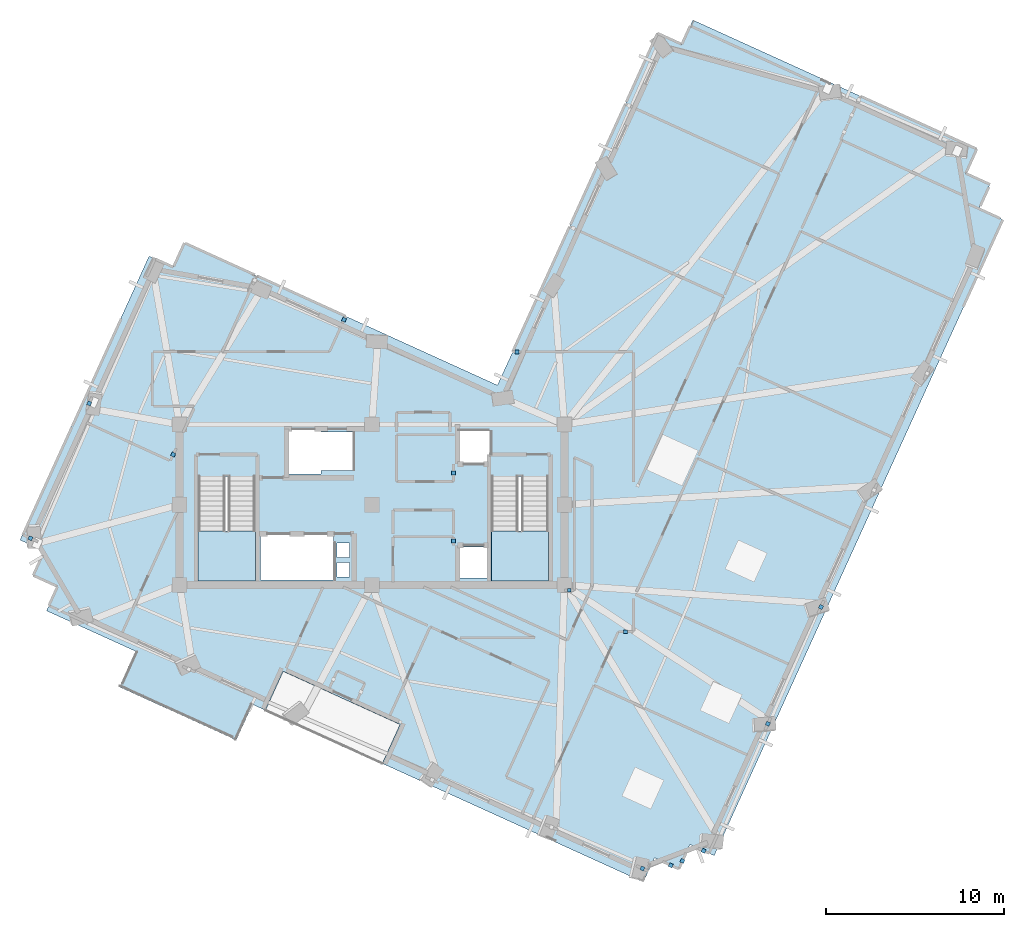
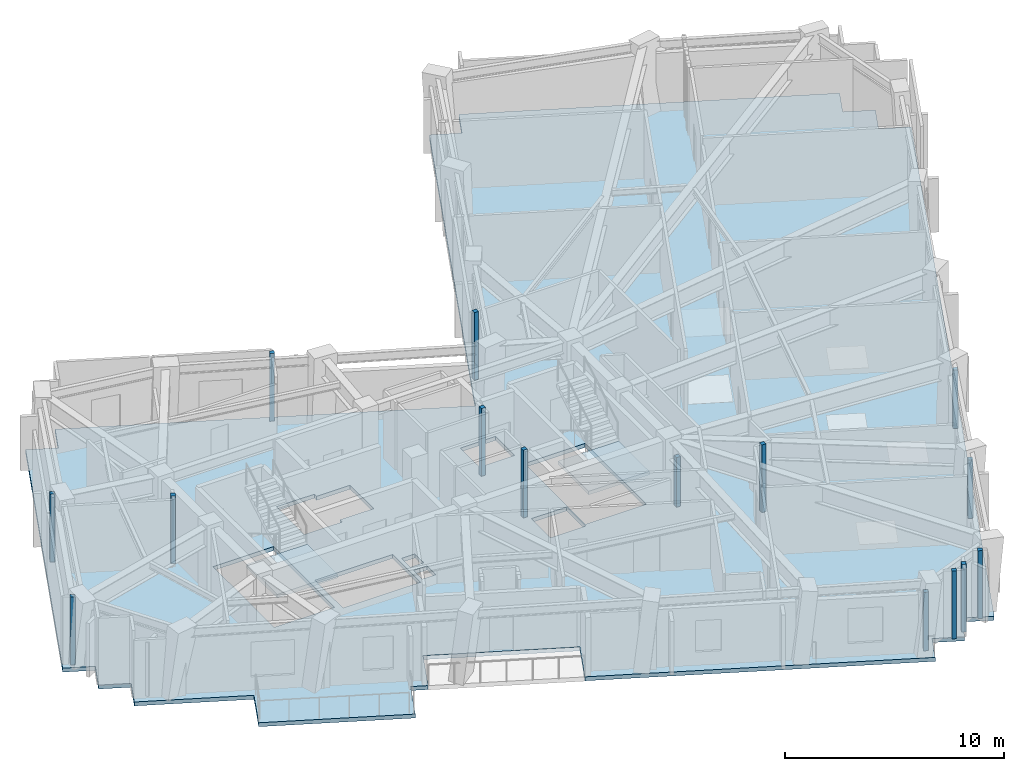
# One storey, part 3 of 13: 15 plates, 3 slabs, 2 elements without a shape of their own.
"""IFC4 building model written with IfcOpenShell, lengths in metres."""

import ifcopenshell
import ifcopenshell.guid

model = None  # the IFC model being written
_history = None  # IfcOwnerHistory: only IFC2X3 demands one
_inside = {}  # id of a spatial element -> (the spatial element, [elements in it])
_under = {}  # id of a project, library or spatial element -> (it, [spatial elements below it])
_declared = {}  # id of a project -> (the project, [libraries it declares])
_typed = {}  # id of a type object -> (the type object, [elements of that type])
_made_of = {}  # id of a material, layer set ... -> (it, [elements and type objects made of it])


def new_model(schema):
    """Start an empty IFC model of exactly this schema.

    Asked for "IFC4X3", IfcOpenShell would pick the latest addendum, in which some entities
    have other attributes; the version numbers below select the first issue.
    IFC2X3 requires an IfcOwnerHistory on every rooted entity: one is made here for all.
    """
    global model, _history
    if schema == "IFC4X3":
        model = ifcopenshell.file(schema_version=(4, 3, 0, 0))
    else:
        model = ifcopenshell.file(schema=schema)
    _inside.clear()
    _under.clear()
    _declared.clear()
    _typed.clear()
    _made_of.clear()
    _history = None
    if model.schema == "IFC2X3":
        org = make("IfcOrganization", Name="unknown")
        user = make(
            "IfcPersonAndOrganization",
            ThePerson=make("IfcPerson", FamilyName="unknown"),
            TheOrganization=org,
        )
        app = make(
            "IfcApplication",
            ApplicationDeveloper=org,
            Version="unknown",
            ApplicationFullName="unknown",
            ApplicationIdentifier="unknown",
        )
        _history = make(
            "IfcOwnerHistory",
            OwningUser=user,
            OwningApplication=app,
            ChangeAction="ADDED",
            CreationDate=0,
        )
    return model


def make(cls, **values):
    """One entity of the class cls with the attributes given. An attribute that is None is left unset."""
    return model.create_entity(
        cls, **{name: value for name, value in values.items() if value is not None}
    )


def rooted(cls, **values):
    """An entity with a GlobalId (a new one), such as an element, a storey or a relation."""
    return make(cls, GlobalId=ifcopenshell.guid.new(), OwnerHistory=_history, **values)


def si_unit(unit_type, name, prefix=None):
    """IfcSIUnit, for example si_unit("LENGTHUNIT", "METRE", prefix="MILLI")."""
    return make("IfcSIUnit", UnitType=unit_type, Prefix=prefix, Name=name)


def assignment(units):
    """IfcUnitAssignment: the units of a project."""
    return None if units is None else make("IfcUnitAssignment", Units=units)


def point(xyz):
    """IfcCartesianPoint."""
    return None if xyz is None else make("IfcCartesianPoint", Coordinates=xyz)


def direction(xyz):
    """IfcDirection."""
    return None if xyz is None else make("IfcDirection", DirectionRatios=xyz)


def frame(location, z_axis=None, x_axis=None):
    """IfcAxis2Placement3D, a coordinate frame: its origin and axes. An axis left out is left unset."""
    return make(
        "IfcAxis2Placement3D",
        Location=point(location),
        Axis=direction(z_axis),
        RefDirection=direction(x_axis),
    )


def frame_2d(location, x_axis=None):
    """IfcAxis2Placement2D, a coordinate frame in the plane: its origin and x axis."""
    return make(
        "IfcAxis2Placement2D", Location=point(location), RefDirection=direction(x_axis)
    )


def origin():
    """The frame at (0, 0, 0) with its axes left unset."""
    return frame((0.0, 0.0, 0.0))


def origin_2d():
    """The frame at (0, 0) in the plane with its x axis left unset."""
    return frame_2d((0.0, 0.0))


def place(relative_to, where):
    """IfcLocalPlacement: puts the frame where relative to a parent placement (None: the world)."""
    return make(
        "IfcLocalPlacement", PlacementRelTo=relative_to, RelativePlacement=where
    )


def context(
    kind, dimensions, precision=None, world=None, true_north=None, identifier=None
):
    """IfcGeometricRepresentationContext, for example the 3D "Model" context."""
    return make(
        "IfcGeometricRepresentationContext",
        ContextIdentifier=identifier,
        ContextType=kind,
        CoordinateSpaceDimension=dimensions,
        Precision=precision,
        WorldCoordinateSystem=world,
        TrueNorth=true_north,
    )


def subcontext(parent, identifier, kind, view, scale=None):
    """IfcGeometricRepresentationSubContext, for example "Body" below "Model"."""
    return make(
        "IfcGeometricRepresentationSubContext",
        ContextIdentifier=identifier,
        ContextType=kind,
        ParentContext=parent,
        TargetScale=scale,
        TargetView=view,
    )


def project(units=None, contexts=None):
    """IfcProject with its units and contexts."""
    return rooted(
        "IfcProject",
        Name="project",
        RepresentationContexts=contexts,
        UnitsInContext=assignment(units),
    )


def spatial(cls, under=None, at=None, **own):
    """A site, building, storey or space (cls), placed at a placement, below another one or the project."""
    s = rooted(cls, ObjectPlacement=at, **own)
    if under is not None:
        _under.setdefault(under.id(), (under, []))[1].append(s)
    return s


def polyline(points):
    """IfcPolyline through the points."""
    return make("IfcPolyline", Points=[point(p) for p in points])


def profile(cls, at=None, kind="AREA", **sizes):
    """A parametric profile (cls). Its sizes go by their IFC names, for example OverallWidth=200.0."""
    return make(cls, ProfileType=kind, Position=at, **sizes)


def rectangle(**sizes):
    """IfcRectangleProfileDef."""
    return profile("IfcRectangleProfileDef", **sizes)


def outline(outer, holes=None, kind="AREA"):
    """IfcArbitraryClosedProfileDef: a profile drawn as a closed curve; with holes, ...WithVoids."""
    if holes is None:
        return make("IfcArbitraryClosedProfileDef", ProfileType=kind, OuterCurve=outer)
    return make(
        "IfcArbitraryProfileDefWithVoids",
        ProfileType=kind,
        OuterCurve=outer,
        InnerCurves=holes,
    )


def extrude(swept, where, along, depth):
    """IfcExtrudedAreaSolid: the profile swept, set in the frame where, extruded along a direction by depth."""
    return make(
        "IfcExtrudedAreaSolid",
        SweptArea=swept,
        Position=where,
        ExtrudedDirection=direction(along),
        Depth=depth,
    )


def shape(context_of_items, identifier, shape_type, items):
    """IfcShapeRepresentation: the items that make up one representation, for example the "Body"."""
    return make(
        "IfcShapeRepresentation",
        ContextOfItems=context_of_items,
        RepresentationIdentifier=identifier,
        RepresentationType=shape_type,
        Items=items,
    )


def material(Name=None, Category=None):
    """IfcMaterial."""
    return make("IfcMaterial", Name=Name, Category=Category)


def layer(
    of_material, thickness, ventilated=None, Name=None, Category=None, Priority=None
):
    """IfcMaterialLayer: one layer of a wall or slab, of a material (None: an air gap)."""
    return make(
        "IfcMaterialLayer",
        Material=of_material,
        LayerThickness=thickness,
        IsVentilated=ventilated,
        Name=Name,
        Category=Category,
        Priority=Priority,
    )


def layer_set(layers, Name=None):
    """IfcMaterialLayerSet."""
    return make("IfcMaterialLayerSet", MaterialLayers=layers, LayerSetName=Name)


def made_of(thing, what):
    """Note that an element or type object is made of a material, layer set ...; save() writes the relation."""
    if what is not None:
        _made_of.setdefault(what.id(), (what, []))[1].append(thing)
    return thing


def type_object(cls, material=None, **own):
    """A type object (cls), such as IfcWallType, which elements share."""
    return made_of(rooted(cls, **own), material)


def element(
    cls,
    number,
    at=None,
    inside=None,
    cuts=None,
    type_object=None,
    material=None,
    context=None,
    identifier="Body",
    shape_type=None,
    held_by="IfcProductDefinitionShape",
    body=None,
    shapes=None,
    **own,
):
    """One element of the class cls, such as IfcWall. Its Tag is "e" and its number.

    at: its placement. inside: the storey or other place that contains it. cuts: it is an
    opening in that element (IfcRelVoidsElement). A single representation is given by context,
    identifier, shape_type and body (its items); several are given by shapes. held_by: the class
    of the entity that holds the representations. save() writes the other relations.
    """
    e = rooted(cls, Tag="e%d" % number, ObjectPlacement=at, **own)
    if body is not None:
        shapes = [shape(context, identifier, shape_type, body)]
    if shapes is not None:
        e.Representation = make(held_by, Representations=shapes)
    if inside is not None:
        _inside.setdefault(inside.id(), (inside, []))[1].append(e)
    if cuts is not None:
        rooted(
            "IfcRelVoidsElement", RelatingBuildingElement=cuts, RelatedOpeningElement=e
        )
    if type_object is not None:
        _typed.setdefault(type_object.id(), (type_object, []))[1].append(e)
    return made_of(e, material)


def aggregate(whole, parts):
    """IfcRelAggregates: a whole, such as a stair, and the parts it consists of."""
    return rooted("IfcRelAggregates", RelatingObject=whole, RelatedObjects=parts)


def save(model, path):
    """Write the relations noted so far, then the file.

    IfcRelAggregates (storeys below a building ...), IfcRelContainedInSpatialStructure (elements
    in a storey), IfcRelDefinesByType, IfcRelAssociatesMaterial and IfcRelDeclares: one each for
    every whole, place, type object, material and project.
    """
    for whole, parts in _under.values():
        aggregate(whole, parts)
    for where, things in _inside.values():
        rooted(
            "IfcRelContainedInSpatialStructure",
            RelatedElements=things,
            RelatingStructure=where,
        )
    for kind, things in _typed.values():
        rooted("IfcRelDefinesByType", RelatedObjects=things, RelatingType=kind)
    for what, things in _made_of.values():
        rooted("IfcRelAssociatesMaterial", RelatedObjects=things, RelatingMaterial=what)
    for by, libraries in _declared.values():
        rooted("IfcRelDeclares", RelatingContext=by, RelatedDefinitions=libraries)
    model.write(path)


model = new_model("IFC4")

# Units and contexts
model_context = context("Model", 3, precision=1e-05, world=origin(), true_north=direction((0.0, 1.0)))
body_context = subcontext(model_context, "Body", "Model", "MODEL_VIEW")
ifc_project = project(units=[si_unit("LENGTHUNIT", "METRE"), si_unit("AREAUNIT", "SQUARE_METRE"), si_unit("VOLUMEUNIT", "CUBIC_METRE"), si_unit("PLANEANGLEUNIT", "RADIAN"), si_unit("MASSUNIT", "GRAM", prefix="KILO")], contexts=[model_context])

# Site, building, storey
site_placement = place(None, origin())
site = spatial("IfcSite", under=ifc_project, at=site_placement, CompositionType="ELEMENT")
building_placement = place(site_placement, origin())
building = spatial("IfcBuilding", under=site, at=building_placement, Name="Gaonmaruhae Medical Tower", CompositionType="ELEMENT")
storey_placement = place(building_placement, frame((0.0, 0.0, 304.60009765625)))
storey = spatial("IfcBuildingStorey", under=building, at=storey_placement, Name="L73", CompositionType="ELEMENT", Elevation=304.60009765625)

# Slab
ifc_material_1 = material(Name="Concrete C40/50", Category="concrete")
ifc_layer_1 = layer(ifc_material_1, 0.219970703125)
ifc_layer_set_1 = layer_set([ifc_layer_1], Name="Concrete C40/50")
slab_type_1 = type_object("IfcSlabType", Name="FS-220 Clinical Ward Composite Floor Slab", PredefinedType="FLOOR", material=ifc_layer_set_1)
slab_1_placement = place(storey_placement, frame((0.0, 0.0, -0.22021484375)))
element("IfcSlab", 1, at=slab_1_placement, inside=storey, type_object=slab_type_1, Name="L73 Structural Slab 1", PredefinedType="FLOOR", context=body_context, shape_type="SweptSolid", body=[
    extrude(outline(polyline([(7.15625, 7.712646484375), (5.790771484375, 8.33349609375), (6.41162109375, 9.69921875), (5.046142578125, 10.31982421875), (12.289306640625, 26.25048828125), (13.65478515625, 25.629638671875), (14.275634765625, 26.9951171875), (31.844970703125, 19.0068359375), (40.826416015625, 38.760986328125), (42.19189453125, 38.14013671875), (42.812744140625, 39.505615234375), (58.743408203125, 32.262451171875), (58.12255859375, 30.89697265625), (59.488037109375, 30.27587890625), (58.8671875, 28.910400390625), (60.232666015625, 28.289794921875), (44.0078125, -7.39501953125), (42.642333984375, -6.774169921875), (42.021484375, -8.1396484375), (40.656005859375, -7.518798828125), (40.03515625, -8.88427734375), (25.37890625, -2.220458984375), (26.372314453125, -0.03564453125), (19.818115234375, 2.9443359375), (18.82470703125, 0.759521484375), (18.096435546875, 1.0908203125), (17.185791015625, -0.912109375), (10.631591796875, 2.068115234375), (11.5419921875, 4.07080078125), (6.535400390625, 6.34716796875), (7.15625, 7.712646484375)]), holes=[polyline([(23.550048828125, 8.25), (22.85009765625, 8.25), (22.85009765625, 9.050048828125), (23.550048828125, 9.050048828125), (23.550048828125, 8.25)]), polyline([(29.574951171875, 9.925048828125), (31.425048828125, 9.925048828125), (31.425048828125, 8.175048828125), (29.574951171875, 8.175048828125), (29.574951171875, 9.925048828125)]), polyline([(18.550048828125, 10.625), (22.64990234375, 10.625), (22.64990234375, 8.074951171875), (18.550048828125, 8.074951171875), (18.550048828125, 10.625)]), polyline([(23.550048828125, 9.35009765625), (22.85009765625, 9.35009765625), (22.85009765625, 10.14990234375), (23.550048828125, 10.14990234375), (23.550048828125, 9.35009765625)]), polyline([(15.050048828125, 13.889892578125), (18.25, 13.889892578125), (18.25, 8.300048828125), (15.050048828125, 8.300048828125), (15.050048828125, 13.889892578125)]), polyline([(31.5, 13.889892578125), (34.699951171875, 13.889892578125), (34.699951171875, 8.300048828125), (31.5, 8.300048828125), (31.5, 13.889892578125)]), polyline([(23.72509765625, 14.22509765625), (21.949951171875, 14.22509765625), (21.949951171875, 14.02490234375), (19.949951171875, 14.02490234375), (19.949951171875, 16.574951171875), (21.949951171875, 16.574951171875), (21.949951171875, 16.375), (23.72509765625, 16.375), (23.72509765625, 14.22509765625)]), polyline([(31.425048828125, 16.425048828125), (31.425048828125, 14.675048828125), (29.574951171875, 14.675048828125), (29.574951171875, 16.425048828125), (31.425048828125, 16.425048828125)])]), origin(), (0.0, 0.0, 1.0), 0.22021484375),
])

# Plates
ifc_material_2 = material(Name="Anodised aluminium 6063-T6", Category="aluminium")
ifc_layer_2 = layer(ifc_material_2, 0.011962890625)
ifc_layer_set_2 = layer_set([ifc_layer_2], Name="Anodised aluminium 6063-T6")
plate_type = type_object("IfcPlateType", Name="PP-01 Interior Partition Corner Stiffener Plate", PredefinedType="SHEET", material=ifc_layer_set_2)
for number, where, z_axis, x_axis, name in (
    (2, (29.3798828125, 10.260009765625, 0.0), (0.0, 0.0, 1.0), (0.0, -1.0, 0.0), "L73 Partition Corner Stiffener Plate PLT-L73-JGP-PW003"),
    (3, (29.3798828125, 14.090087890625, 0.0), (0.0, 0.0, 1.0), (0.0, -1.0, 0.0), "L73 Partition Corner Stiffener Plate PLT-L73-JGP-PW009"),
    (4, (41.572021484375, -7.935546875, 0.0), (0.0, 0.0, 1.0), (-0.910402258592, 0.413724216781, 0.0), "L73 Partition Corner Stiffener Plate PLT-L73-JGP-PW014"),
):
    element("IfcPlate", number, at=place(storey_placement, frame(where, z_axis=z_axis, x_axis=x_axis)), inside=storey, type_object=plate_type, Name=name, PredefinedType="SHEET", context=body_context, shape_type="SweptSolid", body=[
        extrude(rectangle(XDim=0.219970703125, YDim=0.219970703125, at=origin_2d()), origin(), (0.0, 0.0, 1.0), 3.780029296875),
    ])
plate_1_placement = place(storey_placement, frame((39.9794921875, -8.117431640625, 0.0), z_axis=(0.0, 0.0, 1.0), x_axis=(-0.910366150876, 0.41380366279, 0.0)))
element("IfcPlate", 5, at=plate_1_placement, inside=storey, type_object=plate_type, Name="L73 Partition Corner Stiffener Plate PLT-L73-JGP-PW015", PredefinedType="SHEET", context=body_context, shape_type="SweptSolid", body=[
    extrude(rectangle(XDim=0.219970703125, YDim=0.219970703125, at=origin_2d()), origin(), (0.0, 0.0, 1.0), 3.264892578125),
])
for number, where, z_axis, x_axis, name in (
    (6, (43.4130859375, -7.12451171875, 0.0), (0.0, 0.0, 1.0), (-0.910004692462, 0.414597949461, 0.0), "L73 Partition Corner Stiffener Plate PLT-L73-JGP-PW020"),
    (7, (42.22607421875, -7.6904296875, 0.0), (0.0, 0.0, 1.0), (-0.413263367815, -0.910611546611, 0.0), "L73 Partition Corner Stiffener Plate PLT-L73-JGP-PW021"),
):
    element("IfcPlate", number, at=place(storey_placement, frame(where, z_axis=z_axis, x_axis=x_axis)), inside=storey, type_object=plate_type, Name=name, PredefinedType="SHEET", context=body_context, shape_type="SweptSolid", body=[
        extrude(rectangle(XDim=0.219970703125, YDim=0.219970703125, at=origin_2d()), origin(), (0.0, 0.0, 1.0), 3.780029296875),
    ])
plate_2_placement = place(storey_placement, frame((47.02197265625, 0.007080078125, 0.0), z_axis=(0.0, 0.0, 1.0), x_axis=(-0.414613831976, -0.909997456224, 0.0)))
element("IfcPlate", 8, at=plate_2_placement, inside=storey, type_object=plate_type, Name="L73 Partition Corner Stiffener Plate PLT-L73-JGP-PW024", PredefinedType="SHEET", context=body_context, shape_type="SweptSolid", body=[
    extrude(rectangle(XDim=0.219970703125, YDim=0.219970703125, at=origin_2d()), origin(), (0.0, 0.0, 1.0), 3.264892578125),
])
plate_3_placement = place(storey_placement, frame((39.03955078125, 5.169921875, 0.0), z_axis=(0.0, 0.0, 1.0), x_axis=(1.0, 0.0, 0.0)))
element("IfcPlate", 9, at=plate_3_placement, inside=storey, type_object=plate_type, Name="L73 Partition Corner Stiffener Plate PLT-L73-JGP-PW026", PredefinedType="SHEET", context=body_context, shape_type="SweptSolid", body=[
    extrude(rectangle(XDim=0.219970703125, YDim=0.219970703125, at=origin_2d()), origin(), (0.0, 0.0, 1.0), 3.780029296875),
])
plate_4_placement = place(storey_placement, frame((50.001953125, 6.56103515625, 0.0), z_axis=(0.0, 0.0, 1.0), x_axis=(-0.413994320354, -0.910279464074, 0.0)))
element("IfcPlate", 10, at=plate_4_placement, inside=storey, type_object=plate_type, Name="L73 Partition Corner Stiffener Plate PLT-L73-JGP-PW029", PredefinedType="SHEET", context=body_context, shape_type="SweptSolid", body=[
    extrude(rectangle(XDim=0.219970703125, YDim=0.219970703125, at=origin_2d()), origin(), (0.0, 0.0, 1.0), 3.264892578125),
])
plate_5_placement = place(storey_placement, frame((35.875, 7.5, 0.0), z_axis=(0.0, 0.0, 1.0), x_axis=(1.0, 0.0, 0.0)))
element("IfcPlate", 11, at=plate_5_placement, inside=storey, type_object=plate_type, Name="L73 Partition Corner Stiffener Plate PLT-L73-JGP-PW061", PredefinedType="SHEET", context=body_context, shape_type="SweptSolid", body=[
    extrude(rectangle(XDim=0.219970703125, YDim=0.219970703125, at=origin_2d()), origin(), (0.0, 0.0, 1.0), 2.764892578125),
])
for number, where, z_axis, x_axis, name in (
    (12, (32.93505859375, 20.8798828125, 0.0), (0.0, 0.0, 1.0), (-1.0, 0.0, 0.0), "L73 Partition Corner Stiffener Plate PLT-L73-JGP-PW067"),
    (13, (23.23388671875, 22.68310546875, 0.0), (0.0, 0.0, 1.0), (-0.41380366279, -0.910366150876, 0.0), "L73 Partition Corner Stiffener Plate PLT-L73-JGP-PW083"),
    (14, (13.6416015625, 15.115478515625, 0.0), (0.0, 0.0, 1.0), (-0.413994320354, -0.910279464074, 0.0), "L73 Partition Corner Stiffener Plate PLT-L73-JGP-PW091"),
    (15, (8.929443359375, 17.989990234375, 0.0), (0.0, 0.0, 1.0), (0.413708327201, 0.910409479303, 0.0), "L73 Partition Corner Stiffener Plate PLT-L73-JGP-PW093"),
    (16, (5.631103515625, 10.41650390625, 0.0), (0.0, 0.0, 1.0), (-0.910257786134, 0.414041981908, 0.0), "L73 Partition Corner Stiffener Plate PLT-L73-JGP-PW103"),
):
    element("IfcPlate", number, at=place(storey_placement, frame(where, z_axis=z_axis, x_axis=x_axis)), inside=storey, type_object=plate_type, Name=name, PredefinedType="SHEET", context=body_context, shape_type="SweptSolid", body=[
        extrude(rectangle(XDim=0.219970703125, YDim=0.219970703125, at=origin_2d()), origin(), (0.0, 0.0, 1.0), 3.780029296875),
    ])

# Stair, slab
stair_type = type_object("IfcStairType", Name="ST-T1 Primary Core Escape Dogleg Stair", PredefinedType="TWO_QUARTER_TURN_STAIR", material=ifc_material_1)
stair_1_placement = place(storey_placement, origin())
stair_1 = element("IfcStair", 17, at=stair_1_placement, inside=storey, type_object=stair_type, Name="L73 Protected Escape Stair ST-01", PredefinedType="TWO_QUARTER_TURN_STAIR")
ifc_layer_3 = layer(ifc_material_1, 0.199951171875)
ifc_layer_set_3 = layer_set([ifc_layer_3], Name="Concrete C40/50")
slab_type_2 = type_object("IfcSlabType", Name="SL-200 Stair & Ramp Intermediate Concrete Landing", PredefinedType="LANDING", material=ifc_layer_set_3)
slab_2_placement = place(storey_placement, frame((0.0, 0.0, 1.7998046875)))
slab_2 = element("IfcSlab", 18, at=slab_2_placement, type_object=slab_type_2, Name="ST-01 landing 1", PredefinedType="LANDING", context=body_context, shape_type="SweptSolid", body=[
    extrude(outline(polyline([(15.050048828125, 10.820068359375), (15.050048828125, 8.029052734375), (18.25, 8.029052734375), (18.25, 10.820068359375), (15.050048828125, 10.820068359375)])), origin(), (0.0, 0.0, 1.0), 0.2001953125),
])
aggregate(stair_1, [slab_2])

stair_2_placement = place(storey_placement, origin())
stair_2 = element("IfcStair", 19, at=stair_2_placement, inside=storey, type_object=stair_type, Name="L73 Protected Escape Stair ST-02", PredefinedType="TWO_QUARTER_TURN_STAIR")
slab_3_placement = place(storey_placement, frame((0.0, 0.0, 1.7998046875)))
slab_3 = element("IfcSlab", 20, at=slab_3_placement, type_object=slab_type_2, Name="ST-02 landing 1", PredefinedType="LANDING", context=body_context, shape_type="SweptSolid", body=[
    extrude(outline(polyline([(31.5, 10.820068359375), (31.5, 8.029052734375), (34.699951171875, 8.029052734375), (34.699951171875, 10.820068359375), (31.5, 10.820068359375)])), origin(), (0.0, 0.0, 1.0), 0.2001953125),
])
aggregate(stair_2, [slab_3])

save(model, "model.ifc")
